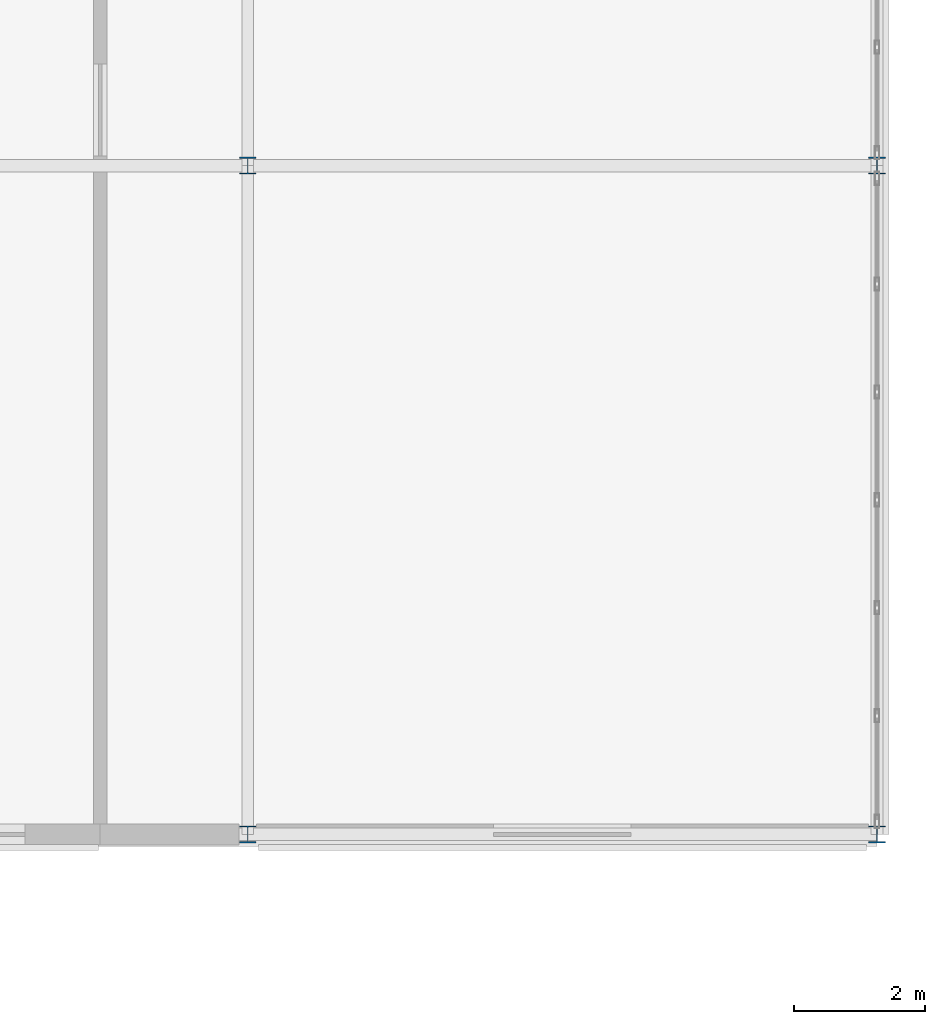
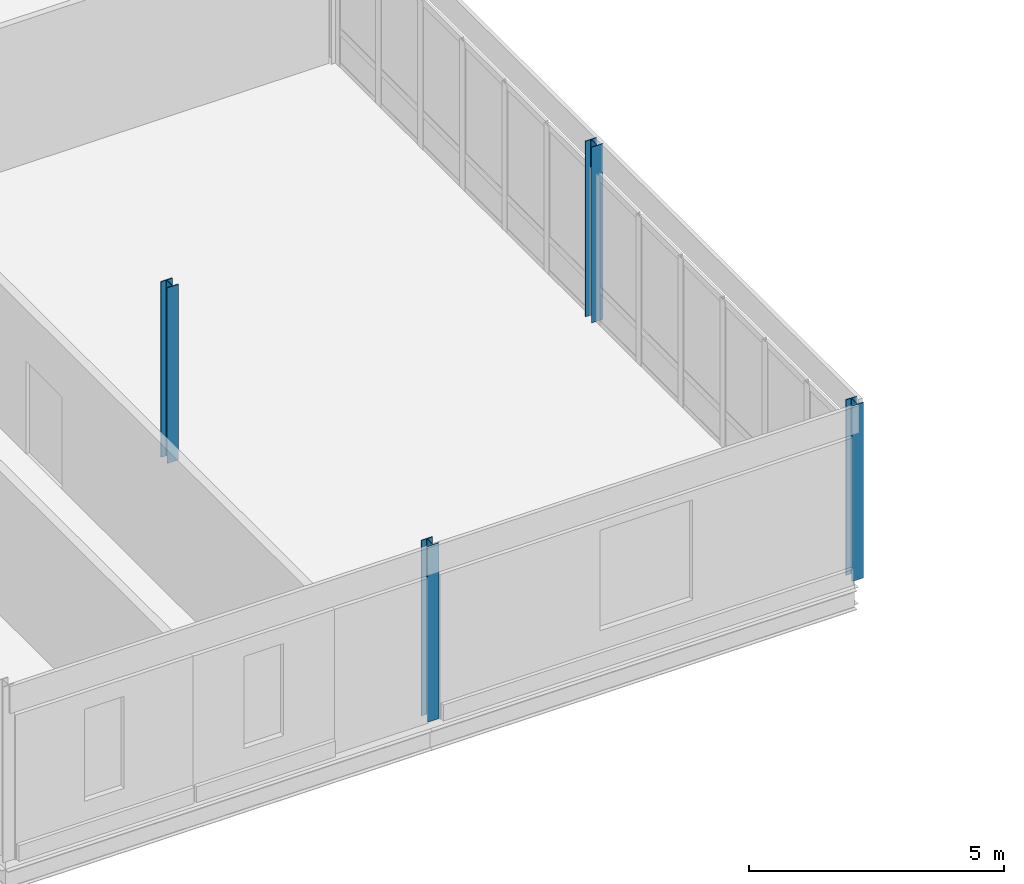
# One storey, part 16 of 170: 4 columns.
"""IFC4 building model written with IfcOpenShell, lengths in metres."""

from ifc_helpers import new_model, si_unit, direction, frame, origin, origin_2d, place, context, subcontext, project, spatial, i_section, extrude, material, material_profile, profile_set, type_object, element, save


model = new_model("IFC4")

# Units and contexts
model_context = context("Model", 3, precision=1e-05, world=origin(), true_north=direction((0.0, 1.0)))
body_context = subcontext(model_context, "Body", "Model", "MODEL_VIEW")
ifc_project = project(units=[si_unit("LENGTHUNIT", "METRE"), si_unit("AREAUNIT", "SQUARE_METRE"), si_unit("VOLUMEUNIT", "CUBIC_METRE"), si_unit("PLANEANGLEUNIT", "RADIAN"), si_unit("MASSUNIT", "GRAM", prefix="KILO")], contexts=[model_context])

# Site, building, storey
site_placement = place(None, origin())
site = spatial("IfcSite", under=ifc_project, at=site_placement, CompositionType="ELEMENT")
building_placement = place(site_placement, origin())
building = spatial("IfcBuilding", under=site, at=building_placement, Name="Vondelvale Polytechnic", CompositionType="ELEMENT")
storey_placement = place(building_placement, frame((0.0, 0.0, 5.39990234375)))
storey = spatial("IfcBuildingStorey", under=building, at=storey_placement, Name="L01", CompositionType="ELEMENT", Elevation=5.39990234375)

# Columns
ifc_material = material(Name="Steel 300PLUS (fy = 300 MPa)", Category="steel")
ifc_material_profile = material_profile(ifc_material, i_section(OverallWidth=0.256103515625, OverallDepth=0.260009765625, WebThickness=0.010498046875, FlangeThickness=0.017333984375, FilletRadius=0.013916015625, at=origin_2d()), Name="250UC89.5")
ifc_profile_set = profile_set([ifc_material_profile], Name="Steel 300PLUS (fy = 300 MPa)")
column_type = type_object("IfcColumnType", Name="COL-UC250", PredefinedType="COLUMN", material=ifc_profile_set)
for number, where, z_axis, x_axis, name in (
    (1, (163.199951171875, 51.0, 0.0), (0.0, 0.0, 1.0), (1.0, 0.0, 0.0), "L01 East pavilion column (163.2,51.0)"),
    (2, (163.199951171875, 61.199951171875, 0.0), (0.0, 0.0, 1.0), (1.0, 0.0, 0.0), "L01 East pavilion column (163.2,61.2)"),
    (3, (172.800048828125, 51.0, 0.0), (0.0, 0.0, 1.0), (1.0, 0.0, 0.0), "L01 East pavilion column (172.8,51.0)"),
    (4, (172.800048828125, 61.199951171875, 0.0), (0.0, 0.0, 1.0), (1.0, 0.0, 0.0), "L01 East pavilion column (172.8,61.2)"),
):
    element("IfcColumn", number, at=place(storey_placement, frame(where, z_axis=z_axis, x_axis=x_axis)), inside=storey, type_object=column_type, Name=name, PredefinedType="COLUMN", context=body_context, shape_type="SweptSolid", body=[
        extrude(i_section(OverallWidth=0.256103515625, OverallDepth=0.260009765625, WebThickness=0.010498046875, FlangeThickness=0.017333984375, FilletRadius=0.013916015625, at=origin_2d()), origin(), (0.0, 0.0, 1.0), 4.2001953125),
    ])

save(model, "model.ifc")
